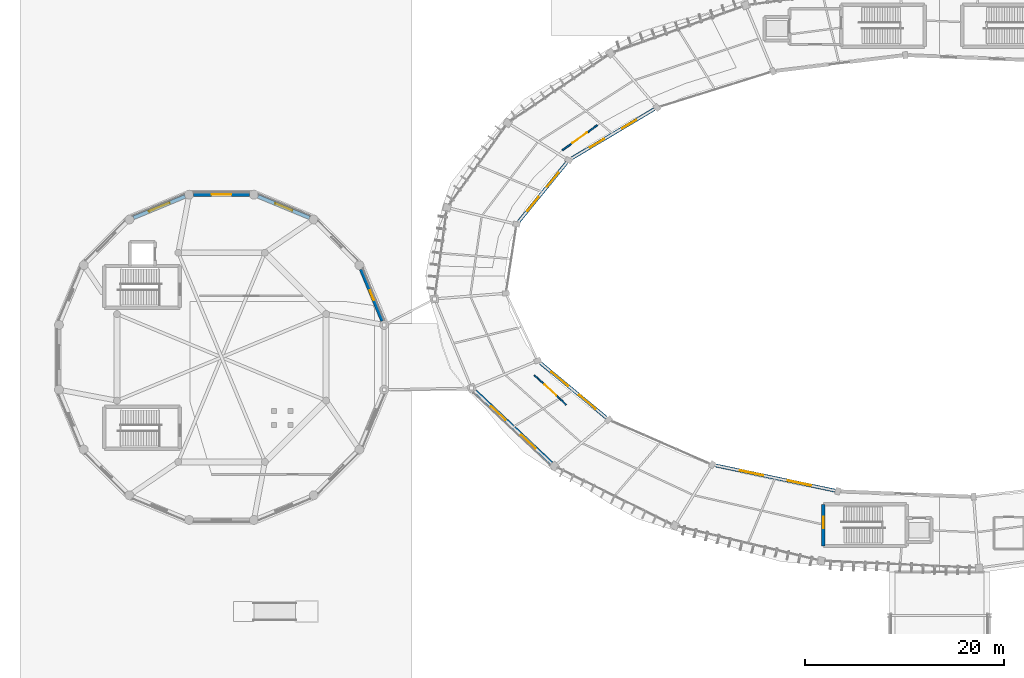
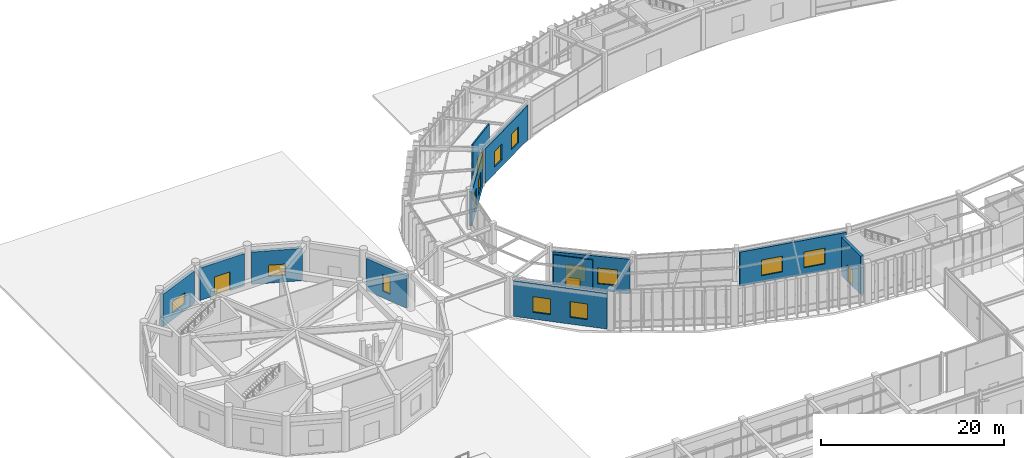
# One storey, part 129 of 157: 13 windows, 12 walls, 4 doors, 17 openings.
"""IFC4 building model written with IfcOpenShell, lengths in metres."""

from ifc_helpers import new_model, si_unit, direction, frame, frame_2d, origin, place, context, subcontext, project, spatial, rectangle, extrude, material, layer, layer_set, type_object, element, fill, save


model = new_model("IFC4")

# Units and contexts
model_context = context("Model", 3, precision=1e-05, world=origin(), true_north=direction((0.0, 1.0)))
body_context = subcontext(model_context, "Body", "Model", "MODEL_VIEW")
ifc_project = project(units=[si_unit("LENGTHUNIT", "METRE"), si_unit("AREAUNIT", "SQUARE_METRE"), si_unit("VOLUMEUNIT", "CUBIC_METRE"), si_unit("PLANEANGLEUNIT", "RADIAN"), si_unit("MASSUNIT", "GRAM", prefix="KILO"), si_unit("THERMODYNAMICTEMPERATUREUNIT", "KELVIN"), si_unit("POWERUNIT", "WATT")], contexts=[model_context])

# Site, building, storey
site_placement = place(None, origin())
site = spatial("IfcSite", under=ifc_project, at=site_placement, CompositionType="ELEMENT")
building_placement = place(site_placement, origin())
building = spatial("IfcBuilding", under=site, at=building_placement, Name="Darbajah Civic Hall", CompositionType="ELEMENT")
storey_placement = place(building_placement, origin())
storey = spatial("IfcBuildingStorey", under=building, at=storey_placement, Name="L00", CompositionType="ELEMENT", Elevation=0.0)

# Wall, opening, door
ifc_material_1 = material(Name="Concrete C50/60", Category="concrete")
ifc_layer_1 = layer(ifc_material_1, 0.35009765625, Name="Concrete C50/60")
ifc_layer_set_1 = layer_set([ifc_layer_1], Name="Concrete C50/60")
wall_type_1 = type_object("IfcWallType", Name="Core Shear Wall 350mm", PredefinedType="SHEAR", material=ifc_layer_set_1)
wall_1_placement = place(storey_placement, frame((77.39990234375, 66.800048828125, 0.0), z_axis=(0.0, 0.0, 1.0), x_axis=(0.0, -1.0, 0.0)))
wall_1 = element("IfcWall", 1, at=wall_1_placement, inside=storey, type_object=wall_type_1, Name="L00 core C03 shear wall W", PredefinedType="SHEAR", context=body_context, shape_type="SweptSolid", body=[
    extrude(rectangle(XDim=4.199951171875, YDim=0.35009765625, at=frame_2d((2.10009765625, 0.0))), origin(), (0.0, 0.0, 1.0), 5.1201171875),
])
opening_1_placement = place(wall_1_placement, frame((1.25, 0.0, 0.0)))
opening_1 = element("IfcOpeningElement", 2, at=opening_1_placement, cuts=wall_1, Name="Opening SD-0043", PredefinedType="OPENING", context=body_context, shape_type="SweptSolid", body=[
    extrude(rectangle(XDim=1.14990234375, YDim=2.199951171875, at=frame_2d((0.574951171875, 1.10009765625))), frame((0.0, 0.18505859375, 0.0), z_axis=(0.0, -1.0, 0.0), x_axis=(1.0, 0.0, 0.0)), (0.0, 0.0, 1.0), 0.3701171875),
])
ifc_material_2 = material(Name="Steel Rated Core Door", Category="steel")
door_type_1 = type_object("IfcDoorType", Name="Interior Door 1150x2200", OperationType="NOTDEFINED", PredefinedType="DOOR", material=ifc_material_2)
door_1_placement = place(opening_1_placement, frame((1.14990234375, 0.0, 0.0), z_axis=(0.0, 0.0, 1.0), x_axis=(-1.0, 0.0, 0.0)))
door_1 = element("IfcDoor", 3, at=door_1_placement, inside=storey, type_object=door_type_1, Name="L00 stair ST03 fire door SD-0043", OperationType="SINGLE_SWING_RIGHT", OverallHeight=2.199951171875, OverallWidth=1.14990234375, PredefinedType="DOOR", context=body_context, shape_type="SweptSolid", body=[
    extrude(rectangle(XDim=1.14990234375, YDim=2.199951171875, at=frame_2d((0.574951171875, 1.10009765625))), frame((0.0, 0.02490234375, 0.0), z_axis=(0.0, -1.0, 0.0), x_axis=(1.0, 0.0, 0.0)), (0.0, 0.0, 1.0), 0.050048828125),
])
fill(opening_1, door_1)

# Wall, openings, windows
ifc_material_3 = material(Name="Qatari Desert Limestone Ashlar", Category="masonry")
ifc_layer_2 = layer(ifc_material_3, 0.340087890625, Name="Qatari Desert Limestone Ashlar")
ifc_layer_set_2 = layer_set([ifc_layer_2], Name="Qatari Desert Limestone Ashlar")
wall_type_2 = type_object("IfcWallType", Name="Exterior Wall 340mm", PredefinedType="SOLIDWALL", material=ifc_layer_set_2)
wall_2_placement = place(storey_placement, frame((60.39013671875, 106.599609375, 0.0), z_axis=(0.0, 0.0, 1.0), x_axis=(-0.858964489066, -0.512035161413, 0.0)))
wall_2 = element("IfcWall", 4, at=wall_2_placement, inside=storey, type_object=wall_type_2, Name="L00 exterior wall EW-340", PredefinedType="SOLIDWALL", context=body_context, shape_type="SweptSolid", body=[
    extrude(rectangle(XDim=9.667724609375, YDim=0.340087890625, at=frame_2d((4.833984375, 0.0))), origin(), (0.0, 0.0, 1.0), 4.5869140625),
])
opening_2_placement = place(wall_2_placement, frame((2.12255859375, 0.0, 0.89990234375)))
opening_2 = element("IfcOpeningElement", 5, at=opening_2_placement, cuts=wall_2, Name="Opening WN-04", PredefinedType="OPENING", context=body_context, shape_type="SweptSolid", body=[
    extrude(rectangle(XDim=1.64990234375, YDim=2.10009765625, at=frame_2d((0.824951171875, 1.050048828125))), frame((0.0, 0.179931640625, 0.0), z_axis=(0.0, -1.0, 0.0), x_axis=(1.0, 0.0, 0.0)), (0.0, 0.0, 1.0), 0.360107421875),
])
opening_3_placement = place(wall_2_placement, frame((5.895263671875, 0.0, 0.89990234375)))
opening_3 = element("IfcOpeningElement", 6, at=opening_3_placement, cuts=wall_2, Name="Opening WN-04", PredefinedType="OPENING", context=body_context, shape_type="SweptSolid", body=[
    extrude(rectangle(XDim=1.64990234375, YDim=2.10009765625, at=frame_2d((0.824951171875, 1.050048828125))), frame((0.0, 0.179931640625, 0.0), z_axis=(0.0, -1.0, 0.0), x_axis=(1.0, 0.0, 0.0)), (0.0, 0.0, 1.0), 0.360107421875),
])
ifc_material_4 = material(Name="Low-E Solar Control Double Glazing", Category="glass")
window_type_1 = type_object("IfcWindowType", Name="Facade Window 1650x2100", PartitioningType="DOUBLE_PANEL_VERTICAL", PredefinedType="WINDOW", material=ifc_material_4)
window_1_placement = place(opening_2_placement, origin())
window_1 = element("IfcWindow", 7, at=window_1_placement, inside=storey, type_object=window_type_1, Name="L00 facade window WN-04", OverallHeight=2.10009765625, OverallWidth=1.64990234375, PartitioningType="SINGLE_PANEL", PredefinedType="WINDOW", context=body_context, shape_type="SweptSolid", body=[
    extrude(rectangle(XDim=1.64990234375, YDim=2.10009765625, at=frame_2d((0.824951171875, 1.050048828125))), frame((0.0, 0.030029296875, 0.0), z_axis=(0.0, -1.0, 0.0), x_axis=(1.0, 0.0, 0.0)), (0.0, 0.0, 1.0), 0.06005859375),
])
fill(opening_2, window_1)
window_2_placement = place(opening_3_placement, origin())
window_2 = element("IfcWindow", 8, at=window_2_placement, inside=storey, type_object=window_type_1, Name="L00 facade window WN-04", OverallHeight=2.10009765625, OverallWidth=1.64990234375, PartitioningType="SINGLE_PANEL", PredefinedType="WINDOW", context=body_context, shape_type="SweptSolid", body=[
    extrude(rectangle(XDim=1.64990234375, YDim=2.10009765625, at=frame_2d((0.824951171875, 1.050048828125))), frame((0.0, 0.030029296875, 0.0), z_axis=(0.0, -1.0, 0.0), x_axis=(1.0, 0.0, 0.0)), (0.0, 0.0, 1.0), 0.06005859375),
])
fill(opening_3, window_2)

wall_3_placement = place(storey_placement, frame((51.5673828125, 101.221923828125, 0.0), z_axis=(0.0, 0.0, 1.0), x_axis=(-0.63108127084, -0.775716719941, 0.0)))
wall_3 = element("IfcWall", 9, at=wall_3_placement, inside=storey, type_object=wall_type_2, Name="L00 exterior wall EW-340", PredefinedType="SOLIDWALL", context=body_context, shape_type="SweptSolid", body=[
    extrude(rectangle(XDim=7.634765625, YDim=0.340087890625, at=frame_2d((3.8173828125, 0.0))), origin(), (0.0, 0.0, 1.0), 4.5869140625),
])
opening_4_placement = place(wall_3_placement, frame((1.344970703125, 0.0, 0.89990234375)))
opening_4 = element("IfcOpeningElement", 10, at=opening_4_placement, cuts=wall_3, Name="Opening WN-05", PredefinedType="OPENING", context=body_context, shape_type="SweptSolid", body=[
    extrude(rectangle(XDim=1.800048828125, YDim=2.10009765625, at=frame_2d((0.89990234375, 1.050048828125))), frame((0.0, 0.179931640625, 0.0), z_axis=(0.0, -1.0, 0.0), x_axis=(1.0, 0.0, 0.0)), (0.0, 0.0, 1.0), 0.360107421875),
])
opening_5_placement = place(wall_3_placement, frame((4.48974609375, 0.0, 0.89990234375)))
opening_5 = element("IfcOpeningElement", 11, at=opening_5_placement, cuts=wall_3, Name="Opening WN-05", PredefinedType="OPENING", context=body_context, shape_type="SweptSolid", body=[
    extrude(rectangle(XDim=1.800048828125, YDim=2.10009765625, at=frame_2d((0.89990234375, 1.050048828125))), frame((0.0, 0.179931640625, 0.0), z_axis=(0.0, -1.0, 0.0), x_axis=(1.0, 0.0, 0.0)), (0.0, 0.0, 1.0), 0.360107421875),
])
window_type_2 = type_object("IfcWindowType", Name="Facade Window 1800x2100", PartitioningType="DOUBLE_PANEL_VERTICAL", PredefinedType="WINDOW", material=ifc_material_4)
window_3_placement = place(opening_4_placement, origin())
window_3 = element("IfcWindow", 12, at=window_3_placement, inside=storey, type_object=window_type_2, Name="L00 facade window WN-05", OverallHeight=2.10009765625, OverallWidth=1.800048828125, PartitioningType="SINGLE_PANEL", PredefinedType="WINDOW", context=body_context, shape_type="SweptSolid", body=[
    extrude(rectangle(XDim=1.800048828125, YDim=2.10009765625, at=frame_2d((0.89990234375, 1.050048828125))), frame((0.0, 0.030029296875, 0.0), z_axis=(0.0, -1.0, 0.0), x_axis=(1.0, 0.0, 0.0)), (0.0, 0.0, 1.0), 0.06005859375),
])
fill(opening_4, window_3)
window_4_placement = place(opening_5_placement, origin())
window_4 = element("IfcWindow", 13, at=window_4_placement, inside=storey, type_object=window_type_2, Name="L00 facade window WN-05", OverallHeight=2.10009765625, OverallWidth=1.800048828125, PartitioningType="SINGLE_PANEL", PredefinedType="WINDOW", context=body_context, shape_type="SweptSolid", body=[
    extrude(rectangle(XDim=1.800048828125, YDim=2.10009765625, at=frame_2d((0.89990234375, 1.050048828125))), frame((0.0, 0.030029296875, 0.0), z_axis=(0.0, -1.0, 0.0), x_axis=(1.0, 0.0, 0.0)), (0.0, 0.0, 1.0), 0.06005859375),
])
fill(opening_5, window_4)

wall_4_placement = place(storey_placement, frame((48.93115234375, 81.019287109375, 0.0), z_axis=(0.0, 0.0, 1.0), x_axis=(0.769172800378, -0.639040846236, 0.0)))
wall_4 = element("IfcWall", 14, at=wall_4_placement, inside=storey, type_object=wall_type_2, Name="L00 exterior wall EW-340", PredefinedType="SOLIDWALL", context=body_context, shape_type="SweptSolid", body=[
    extrude(rectangle(XDim=8.614990234375, YDim=0.340087890625, at=frame_2d((4.3076171875, 0.0))), origin(), (0.0, 0.0, 1.0), 4.5869140625),
])
opening_6_placement = place(wall_4_placement, frame((1.405029296875, 0.0, 0.89990234375)))
opening_6 = element("IfcOpeningElement", 15, at=opening_6_placement, cuts=wall_4, Name="Opening WN-07", PredefinedType="OPENING", context=body_context, shape_type="SweptSolid", body=[
    extrude(rectangle(XDim=2.199951171875, YDim=2.10009765625, at=frame_2d((1.10009765625, 1.050048828125))), frame((0.0, 0.179931640625, 0.0), z_axis=(0.0, -1.0, 0.0), x_axis=(1.0, 0.0, 0.0)), (0.0, 0.0, 1.0), 0.360107421875),
])
opening_7_placement = place(wall_4_placement, frame((5.010009765625, 0.0, 0.89990234375)))
opening_7 = element("IfcOpeningElement", 16, at=opening_7_placement, cuts=wall_4, Name="Opening WN-07", PredefinedType="OPENING", context=body_context, shape_type="SweptSolid", body=[
    extrude(rectangle(XDim=2.199951171875, YDim=2.10009765625, at=frame_2d((1.10009765625, 1.050048828125))), frame((0.0, 0.179931640625, 0.0), z_axis=(0.0, -1.0, 0.0), x_axis=(1.0, 0.0, 0.0)), (0.0, 0.0, 1.0), 0.360107421875),
])
window_type_3 = type_object("IfcWindowType", Name="Facade Window 2200x2100", PartitioningType="DOUBLE_PANEL_VERTICAL", PredefinedType="WINDOW", material=ifc_material_4)
window_5_placement = place(opening_6_placement, origin())
window_5 = element("IfcWindow", 17, at=window_5_placement, inside=storey, type_object=window_type_3, Name="L00 facade window WN-07", OverallHeight=2.10009765625, OverallWidth=2.199951171875, PartitioningType="SINGLE_PANEL", PredefinedType="WINDOW", context=body_context, shape_type="SweptSolid", body=[
    extrude(rectangle(XDim=2.199951171875, YDim=2.10009765625, at=frame_2d((1.10009765625, 1.050048828125))), frame((0.0, 0.030029296875, 0.0), z_axis=(0.0, -1.0, 0.0), x_axis=(1.0, 0.0, 0.0)), (0.0, 0.0, 1.0), 0.06005859375),
])
fill(opening_6, window_5)
window_6_placement = place(opening_7_placement, origin())
window_6 = element("IfcWindow", 18, at=window_6_placement, inside=storey, type_object=window_type_3, Name="L00 facade window WN-07", OverallHeight=2.10009765625, OverallWidth=2.199951171875, PartitioningType="SINGLE_PANEL", PredefinedType="WINDOW", context=body_context, shape_type="SweptSolid", body=[
    extrude(rectangle(XDim=2.199951171875, YDim=2.10009765625, at=frame_2d((1.10009765625, 1.050048828125))), frame((0.0, 0.030029296875, 0.0), z_axis=(0.0, -1.0, 0.0), x_axis=(1.0, 0.0, 0.0)), (0.0, 0.0, 1.0), 0.06005859375),
])
fill(opening_7, window_6)

wall_5_placement = place(storey_placement, frame((66.56201171875, 70.712890625, 0.0), z_axis=(0.0, 0.0, 1.0), x_axis=(0.978478042073, -0.206350966027, 0.0)))
wall_5 = element("IfcWall", 19, at=wall_5_placement, inside=storey, type_object=wall_type_2, Name="L00 exterior wall EW-340", PredefinedType="SOLIDWALL", context=body_context, shape_type="SweptSolid", body=[
    extrude(rectangle(XDim=12.322265625, YDim=0.340087890625, at=frame_2d((6.1611328125, 0.0))), origin(), (0.0, 0.0, 1.0), 4.5869140625),
])
opening_8_placement = place(wall_5_placement, frame((2.507568359375, 0.0, 0.89990234375)))
opening_8 = element("IfcOpeningElement", 20, at=opening_8_placement, cuts=wall_5, Name="Opening WN-08", PredefinedType="OPENING", context=body_context, shape_type="SweptSolid", body=[
    extrude(rectangle(XDim=2.39990234375, YDim=2.10009765625, at=frame_2d((1.199951171875, 1.050048828125))), frame((0.0, 0.179931640625, 0.0), z_axis=(0.0, -1.0, 0.0), x_axis=(1.0, 0.0, 0.0)), (0.0, 0.0, 1.0), 0.360107421875),
])
opening_9_placement = place(wall_5_placement, frame((7.414794921875, 0.0, 0.89990234375)))
opening_9 = element("IfcOpeningElement", 21, at=opening_9_placement, cuts=wall_5, Name="Opening WN-08", PredefinedType="OPENING", context=body_context, shape_type="SweptSolid", body=[
    extrude(rectangle(XDim=2.39990234375, YDim=2.10009765625, at=frame_2d((1.199951171875, 1.050048828125))), frame((0.0, 0.179931640625, 0.0), z_axis=(0.0, -1.0, 0.0), x_axis=(1.0, 0.0, 0.0)), (0.0, 0.0, 1.0), 0.360107421875),
])
window_type_4 = type_object("IfcWindowType", Name="Facade Window 2400x2100", PartitioningType="DOUBLE_PANEL_VERTICAL", PredefinedType="WINDOW", material=ifc_material_4)
window_7_placement = place(opening_8_placement, origin())
window_7 = element("IfcWindow", 22, at=window_7_placement, inside=storey, type_object=window_type_4, Name="L00 facade window WN-08", OverallHeight=2.10009765625, OverallWidth=2.39990234375, PartitioningType="SINGLE_PANEL", PredefinedType="WINDOW", context=body_context, shape_type="SweptSolid", body=[
    extrude(rectangle(XDim=2.39990234375, YDim=2.10009765625, at=frame_2d((1.199951171875, 1.050048828125))), frame((0.0, 0.030029296875, 0.0), z_axis=(0.0, -1.0, 0.0), x_axis=(1.0, 0.0, 0.0)), (0.0, 0.0, 1.0), 0.06005859375),
])
fill(opening_8, window_7)
window_8_placement = place(opening_9_placement, origin())
window_8 = element("IfcWindow", 23, at=window_8_placement, inside=storey, type_object=window_type_4, Name="L00 facade window WN-08", OverallHeight=2.10009765625, OverallWidth=2.39990234375, PartitioningType="SINGLE_PANEL", PredefinedType="WINDOW", context=body_context, shape_type="SweptSolid", body=[
    extrude(rectangle(XDim=2.39990234375, YDim=2.10009765625, at=frame_2d((1.199951171875, 1.050048828125))), frame((0.0, 0.030029296875, 0.0), z_axis=(0.0, -1.0, 0.0), x_axis=(1.0, 0.0, 0.0)), (0.0, 0.0, 1.0), 0.06005859375),
])
fill(opening_9, window_8)

# Wall, opening, window
ifc_material_5 = material(Name="Red Dholpur Sandstone Cladding", Category="masonry")
ifc_layer_3 = layer(ifc_material_5, 0.3798828125, Name="Red Dholpur Sandstone Cladding")
ifc_layer_set_3 = layer_set([ifc_layer_3], Name="Red Dholpur Sandstone Cladding")
wall_type_3 = type_object("IfcWallType", Name="Exterior Wall 380mm", PredefinedType="SOLIDWALL", material=ifc_layer_set_3)
wall_6_placement = place(storey_placement, frame((33.007080078125, 85.27587890625, 0.0), z_axis=(0.0, 0.0, 1.0), x_axis=(-0.382680920931, 0.923880572778, 0.0)))
wall_6 = element("IfcWall", 24, at=wall_6_placement, inside=storey, type_object=wall_type_3, Name="L00 exterior wall EW-380", PredefinedType="SOLIDWALL", context=body_context, shape_type="SweptSolid", body=[
    extrude(rectangle(XDim=5.6123046875, YDim=0.3798828125, at=frame_2d((2.80615234375, 0.0))), origin(), (0.0, 0.0, 1.0), 4.330078125),
])
opening_10_placement = place(wall_6_placement, frame((2.281005859375, 0.0, 0.89990234375)))
opening_10 = element("IfcOpeningElement", 25, at=opening_10_placement, cuts=wall_6, Name="Opening WN-24", PredefinedType="OPENING", context=body_context, shape_type="SweptSolid", body=[
    extrude(rectangle(XDim=1.050048828125, YDim=2.199951171875, at=frame_2d((0.52490234375, 1.10009765625))), frame((0.0, 0.199951171875, 0.0), z_axis=(0.0, -1.0, 0.0), x_axis=(1.0, 0.0, 0.0)), (0.0, 0.0, 1.0), 0.39990234375),
])
window_type_5 = type_object("IfcWindowType", Name="Facade Window 1050x2200", PartitioningType="SINGLE_PANEL", PredefinedType="WINDOW", material=ifc_material_4)
window_9_placement = place(opening_10_placement, origin())
window_9 = element("IfcWindow", 26, at=window_9_placement, inside=storey, type_object=window_type_5, Name="L00 facade window WN-24", OverallHeight=2.199951171875, OverallWidth=1.050048828125, PartitioningType="SINGLE_PANEL", PredefinedType="WINDOW", context=body_context, shape_type="SweptSolid", body=[
    extrude(rectangle(XDim=1.050048828125, YDim=2.199951171875, at=frame_2d((0.52490234375, 1.10009765625))), frame((0.0, 0.030029296875, 0.0), z_axis=(0.0, -1.0, 0.0), x_axis=(1.0, 0.0, 0.0)), (0.0, 0.0, 1.0), 0.06005859375),
])
fill(opening_10, window_9)

wall_7_placement = place(storey_placement, frame((25.660888671875, 95.6591796875, 0.0), z_axis=(0.0, 0.0, 1.0), x_axis=(-0.923880572778, 0.382680920931, 0.0)))
wall_7 = element("IfcWall", 27, at=wall_7_placement, inside=storey, type_object=wall_type_3, Name="L00 exterior wall EW-380", PredefinedType="SOLIDWALL", context=body_context, shape_type="SweptSolid", body=[
    extrude(rectangle(XDim=5.6123046875, YDim=0.3798828125, at=frame_2d((2.80615234375, 0.0))), origin(), (0.0, 0.0, 1.0), 4.330078125),
])
opening_11_placement = place(wall_7_placement, frame((1.881103515625, 0.0, 0.89990234375)))
opening_11 = element("IfcOpeningElement", 28, at=opening_11_placement, cuts=wall_7, Name="Opening WN-26", PredefinedType="OPENING", context=body_context, shape_type="SweptSolid", body=[
    extrude(rectangle(XDim=1.85009765625, YDim=1.5, at=frame_2d((0.925048828125, 0.75))), frame((0.0, 0.199951171875, 0.0), z_axis=(0.0, -1.0, 0.0), x_axis=(1.0, 0.0, 0.0)), (0.0, 0.0, 1.0), 0.39990234375),
])
window_type_6 = type_object("IfcWindowType", Name="Facade Window 1850x1500", PartitioningType="DOUBLE_PANEL_VERTICAL", PredefinedType="WINDOW", material=ifc_material_4)
window_10_placement = place(opening_11_placement, origin())
window_10 = element("IfcWindow", 29, at=window_10_placement, inside=storey, type_object=window_type_6, Name="L00 facade window WN-26", OverallHeight=1.5, OverallWidth=1.85009765625, PartitioningType="SINGLE_PANEL", PredefinedType="WINDOW", context=body_context, shape_type="SweptSolid", body=[
    extrude(rectangle(XDim=1.85009765625, YDim=1.5, at=frame_2d((0.925048828125, 0.75))), frame((0.0, 0.030029296875, 0.0), z_axis=(0.0, -1.0, 0.0), x_axis=(1.0, 0.0, 0.0)), (0.0, 0.0, 1.0), 0.06005859375),
])
fill(opening_11, window_10)

# Wall, opening, door
wall_8_placement = place(storey_placement, frame((19.606201171875, 97.97998046875, 0.0), z_axis=(0.0, 0.0, 1.0), x_axis=(-1.0, 0.0, 0.0)))
wall_8 = element("IfcWall", 30, at=wall_8_placement, inside=storey, type_object=wall_type_3, Name="L00 exterior wall EW-380", PredefinedType="SOLIDWALL", context=body_context, shape_type="SweptSolid", body=[
    extrude(rectangle(XDim=5.6123046875, YDim=0.3798828125, at=frame_2d((2.80615234375, 0.0))), origin(), (0.0, 0.0, 1.0), 4.330078125),
])
opening_12_placement = place(wall_8_placement, frame((1.80615234375, 0.0, 0.0)))
opening_12 = element("IfcOpeningElement", 31, at=opening_12_placement, cuts=wall_8, Name="Opening E-004", PredefinedType="OPENING", context=body_context, shape_type="SweptSolid", body=[
    extrude(rectangle(XDim=2.0, YDim=2.5, at=frame_2d((1.0, 1.25))), frame((0.0, 0.199951171875, 0.0), z_axis=(0.0, -1.0, 0.0), x_axis=(1.0, 0.0, 0.0)), (0.0, 0.0, 1.0), 0.39990234375),
])
ifc_material_6 = material(Name="Anodised Bronze Aluminium and Laminated Glass", Category="aluminium")
door_type_2 = type_object("IfcDoorType", Name="Exterior Door 2000x2500", OperationType="NOTDEFINED", PredefinedType="DOOR", material=ifc_material_6)
door_2_placement = place(opening_12_placement, frame((2.0, 0.0, 0.0), z_axis=(0.0, 0.0, 1.0), x_axis=(-1.0, 0.0, 0.0)))
door_2 = element("IfcDoor", 32, at=door_2_placement, inside=storey, type_object=door_type_2, Name="Pedestrian Final Exit E-004", OperationType="DOUBLE_DOOR_SINGLE_SWING", OverallHeight=2.5, OverallWidth=2.0, PredefinedType="DOOR", context=body_context, shape_type="SweptSolid", body=[
    extrude(rectangle(XDim=2.0, YDim=2.5, at=frame_2d((1.0, 1.25))), frame((0.0, 0.02490234375, 0.0), z_axis=(0.0, -1.0, 0.0), x_axis=(1.0, 0.0, 0.0)), (0.0, 0.0, 1.0), 0.050048828125),
])
fill(opening_12, door_2)

# Wall, opening, window
wall_9_placement = place(storey_placement, frame((13.124267578125, 97.806884765625, 0.0), z_axis=(0.0, 0.0, 1.0), x_axis=(-0.923880572778, -0.382680920931, 0.0)))
wall_9 = element("IfcWall", 33, at=wall_9_placement, inside=storey, type_object=wall_type_3, Name="L00 exterior wall EW-380", PredefinedType="SOLIDWALL", context=body_context, shape_type="SweptSolid", body=[
    extrude(rectangle(XDim=5.6123046875, YDim=0.3798828125, at=frame_2d((2.80615234375, 0.0))), origin(), (0.0, 0.0, 1.0), 4.330078125),
])
opening_13_placement = place(wall_9_placement, frame((1.68115234375, 0.0, 0.89990234375)))
opening_13 = element("IfcOpeningElement", 34, at=opening_13_placement, cuts=wall_9, Name="Opening WN-27", PredefinedType="OPENING", context=body_context, shape_type="SweptSolid", body=[
    extrude(rectangle(XDim=2.25, YDim=1.5, at=frame_2d((1.125, 0.75))), frame((0.0, 0.199951171875, 0.0), z_axis=(0.0, -1.0, 0.0), x_axis=(1.0, 0.0, 0.0)), (0.0, 0.0, 1.0), 0.39990234375),
])
window_type_7 = type_object("IfcWindowType", Name="Facade Window 2250x1500", PartitioningType="DOUBLE_PANEL_VERTICAL", PredefinedType="WINDOW", material=ifc_material_4)
window_11_placement = place(opening_13_placement, origin())
window_11 = element("IfcWindow", 35, at=window_11_placement, inside=storey, type_object=window_type_7, Name="L00 facade window WN-27", OverallHeight=1.5, OverallWidth=2.25, PartitioningType="SINGLE_PANEL", PredefinedType="WINDOW", context=body_context, shape_type="SweptSolid", body=[
    extrude(rectangle(XDim=2.25, YDim=1.5, at=frame_2d((1.125, 0.75))), frame((0.0, 0.030029296875, 0.0), z_axis=(0.0, -1.0, 0.0), x_axis=(1.0, 0.0, 0.0)), (0.0, 0.0, 1.0), 0.06005859375),
])
fill(opening_13, window_11)

# Wall, openings, windows
ifc_layer_4 = layer(ifc_material_3, 0.419921875, Name="Qatari Desert Limestone Ashlar")
ifc_layer_set_4 = layer_set([ifc_layer_4], Name="Qatari Desert Limestone Ashlar")
wall_type_4 = type_object("IfcWallType", Name="Exterior Wall 420mm", PredefinedType="SOLIDWALL", material=ifc_layer_set_4)
wall_10_placement = place(storey_placement, frame((42.343994140625, 78.169189453125, 0.0), z_axis=(0.0, 0.0, 1.0), x_axis=(0.727219088219, -0.686405417906, 0.0)))
wall_10 = element("IfcWall", 36, at=wall_10_placement, inside=storey, type_object=wall_type_4, Name="L00 exterior wall EW-420", PredefinedType="SOLIDWALL", context=body_context, shape_type="SweptSolid", body=[
    extrude(rectangle(XDim=10.552001953125, YDim=0.419921875, at=frame_2d((5.27587890625, 0.0))), origin(), (0.0, 0.0, 1.0), 4.719970703125),
])
opening_14_placement = place(wall_10_placement, frame((2.18408203125, 0.0, 0.89990234375)))
opening_14 = element("IfcOpeningElement", 37, at=opening_14_placement, cuts=wall_10, Name="Opening WN-06", PredefinedType="OPENING", context=body_context, shape_type="SweptSolid", body=[
    extrude(rectangle(XDim=2.0, YDim=2.10009765625, at=frame_2d((1.0, 1.050048828125))), frame((0.0, 0.219970703125, 0.0), z_axis=(0.0, -1.0, 0.0), x_axis=(1.0, 0.0, 0.0)), (0.0, 0.0, 1.0), 0.43994140625),
])
opening_15_placement = place(wall_10_placement, frame((6.367919921875, 0.0, 0.89990234375)))
opening_15 = element("IfcOpeningElement", 38, at=opening_15_placement, cuts=wall_10, Name="Opening WN-06", PredefinedType="OPENING", context=body_context, shape_type="SweptSolid", body=[
    extrude(rectangle(XDim=2.0, YDim=2.10009765625, at=frame_2d((1.0, 1.050048828125))), frame((0.0, 0.219970703125, 0.0), z_axis=(0.0, -1.0, 0.0), x_axis=(1.0, 0.0, 0.0)), (0.0, 0.0, 1.0), 0.43994140625),
])
window_type_8 = type_object("IfcWindowType", Name="Facade Window 2000x2100", PartitioningType="DOUBLE_PANEL_VERTICAL", PredefinedType="WINDOW", material=ifc_material_4)
window_12_placement = place(opening_14_placement, origin())
window_12 = element("IfcWindow", 39, at=window_12_placement, inside=storey, type_object=window_type_8, Name="L00 facade window WN-06", OverallHeight=2.10009765625, OverallWidth=2.0, PartitioningType="SINGLE_PANEL", PredefinedType="WINDOW", context=body_context, shape_type="SweptSolid", body=[
    extrude(rectangle(XDim=2.0, YDim=2.10009765625, at=frame_2d((1.0, 1.050048828125))), frame((0.0, 0.030029296875, 0.0), z_axis=(0.0, -1.0, 0.0), x_axis=(1.0, 0.0, 0.0)), (0.0, 0.0, 1.0), 0.06005859375),
])
fill(opening_14, window_12)
window_13_placement = place(opening_15_placement, origin())
window_13 = element("IfcWindow", 40, at=window_13_placement, inside=storey, type_object=window_type_8, Name="L00 facade window WN-06", OverallHeight=2.10009765625, OverallWidth=2.0, PartitioningType="SINGLE_PANEL", PredefinedType="WINDOW", context=body_context, shape_type="SweptSolid", body=[
    extrude(rectangle(XDim=2.0, YDim=2.10009765625, at=frame_2d((1.0, 1.050048828125))), frame((0.0, 0.030029296875, 0.0), z_axis=(0.0, -1.0, 0.0), x_axis=(1.0, 0.0, 0.0)), (0.0, 0.0, 1.0), 0.06005859375),
])
fill(opening_15, window_13)

# Wall, opening, door
ifc_material_7 = material(Name="Gypsum Plasterboard on Steel Stud", Category="steel")
ifc_layer_5 = layer(ifc_material_7, 0.135009765625, Name="Gypsum Plasterboard on Steel Stud")
ifc_layer_set_5 = layer_set([ifc_layer_5], Name="Gypsum Plasterboard on Steel Stud")
wall_type_5 = type_object("IfcWallType", Name="Interior Partition 135mm", PredefinedType="PARTITIONING", material=ifc_layer_set_5)
wall_11_placement = place(storey_placement, frame((51.533447265625, 76.802001953125, 0.0), z_axis=(0.0, 0.0, 1.0), x_axis=(-0.731897790619, 0.681414429028, 0.0)))
wall_11 = element("IfcWall", 41, at=wall_11_placement, inside=storey, type_object=wall_type_5, Name="L00 interior partition L00-V1-05", PredefinedType="PARTITIONING", context=body_context, shape_type="SweptSolid", body=[
    extrude(rectangle(XDim=4.40087890625, YDim=0.135009765625, at=frame_2d((2.200439453125, 0.0))), origin(), (0.0, 0.0, 1.0), 5.06005859375),
])
opening_16_placement = place(wall_11_placement, frame((1.400390625, 0.0, 0.0)))
opening_16 = element("IfcOpeningElement", 42, at=opening_16_placement, cuts=wall_11, Name="Opening D-0156", PredefinedType="OPENING", context=body_context, shape_type="SweptSolid", body=[
    extrude(rectangle(XDim=1.60009765625, YDim=2.300048828125, at=frame_2d((0.800048828125, 1.14990234375))), frame((0.0, 0.077392578125, 0.0), z_axis=(0.0, -1.0, 0.0), x_axis=(1.0, 0.0, 0.0)), (0.0, 0.0, 1.0), 0.155029296875),
])
ifc_material_8 = material(Name="Painted Hardwood Fire Door", Category="wood")
door_type_3 = type_object("IfcDoorType", Name="Interior Door 1600x2300", OperationType="NOTDEFINED", PredefinedType="DOOR", material=ifc_material_8)
door_3_placement = place(opening_16_placement, origin())
door_3 = element("IfcDoor", 43, at=door_3_placement, inside=storey, type_object=door_type_3, Name="L00 L00-V1-05 door D-0156", OperationType="DOUBLE_DOOR_SINGLE_SWING", OverallHeight=2.300048828125, OverallWidth=1.60009765625, PredefinedType="DOOR", context=body_context, shape_type="SweptSolid", body=[
    extrude(rectangle(XDim=1.60009765625, YDim=2.300048828125, at=frame_2d((0.800048828125, 1.14990234375))), frame((0.0, 0.02490234375, 0.0), z_axis=(0.0, -1.0, 0.0), x_axis=(1.0, 0.0, 0.0)), (0.0, 0.0, 1.0), 0.050048828125),
])
fill(opening_16, door_3)

ifc_layer_6 = layer(ifc_material_7, 0.159912109375, Name="Gypsum Plasterboard on Steel Stud")
ifc_layer_set_6 = layer_set([ifc_layer_6], Name="Gypsum Plasterboard on Steel Stud")
wall_type_6 = type_object("IfcWallType", Name="Interior Partition 160mm", PredefinedType="PARTITIONING", material=ifc_layer_set_6)
wall_12_placement = place(storey_placement, frame((51.105224609375, 102.453369140625, 0.0), z_axis=(0.0, 0.0, 1.0), x_axis=(0.814872335752, 0.579640471695, 0.0)))
wall_12 = element("IfcWall", 44, at=wall_12_placement, inside=storey, type_object=wall_type_6, Name="L00 interior partition L00-V1-04", PredefinedType="PARTITIONING", context=body_context, shape_type="SweptSolid", body=[
    extrude(rectangle(XDim=4.353759765625, YDim=0.159912109375, at=frame_2d((2.1767578125, 0.0))), origin(), (0.0, 0.0, 1.0), 5.06005859375),
])
opening_17_placement = place(wall_12_placement, frame((1.27685546875, 0.0, 0.0)))
opening_17 = element("IfcOpeningElement", 45, at=opening_17_placement, cuts=wall_12, Name="Opening D-0155", PredefinedType="OPENING", context=body_context, shape_type="SweptSolid", body=[
    extrude(rectangle(XDim=1.800048828125, YDim=2.39990234375, at=frame_2d((0.89990234375, 1.199951171875))), frame((0.0, 0.08984375, 0.0), z_axis=(0.0, -1.0, 0.0), x_axis=(1.0, 0.0, 0.0)), (0.0, 0.0, 1.0), 0.179931640625),
])
door_type_4 = type_object("IfcDoorType", Name="Interior Door 1800x2400", OperationType="NOTDEFINED", PredefinedType="DOOR", material=ifc_material_8)
door_4_placement = place(opening_17_placement, origin())
door_4 = element("IfcDoor", 46, at=door_4_placement, inside=storey, type_object=door_type_4, Name="L00 L00-V1-04 door D-0155", OperationType="DOUBLE_DOOR_SINGLE_SWING", OverallHeight=2.39990234375, OverallWidth=1.800048828125, PredefinedType="DOOR", context=body_context, shape_type="SweptSolid", body=[
    extrude(rectangle(XDim=1.800048828125, YDim=2.39990234375, at=frame_2d((0.89990234375, 1.199951171875))), frame((0.0, 0.02490234375, 0.0), z_axis=(0.0, -1.0, 0.0), x_axis=(1.0, 0.0, 0.0)), (0.0, 0.0, 1.0), 0.050048828125),
])
fill(opening_17, door_4)

save(model, "model.ifc")
